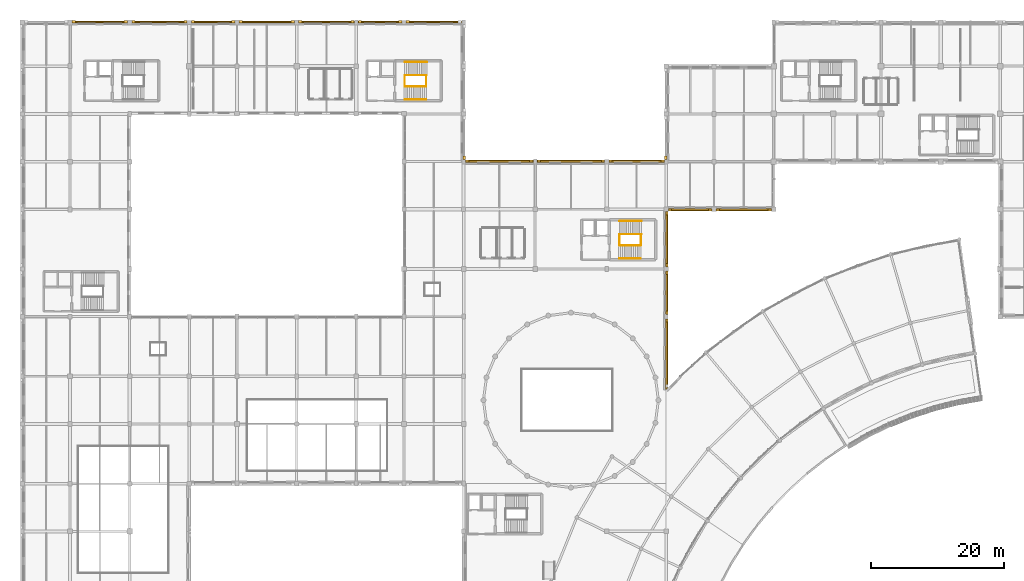
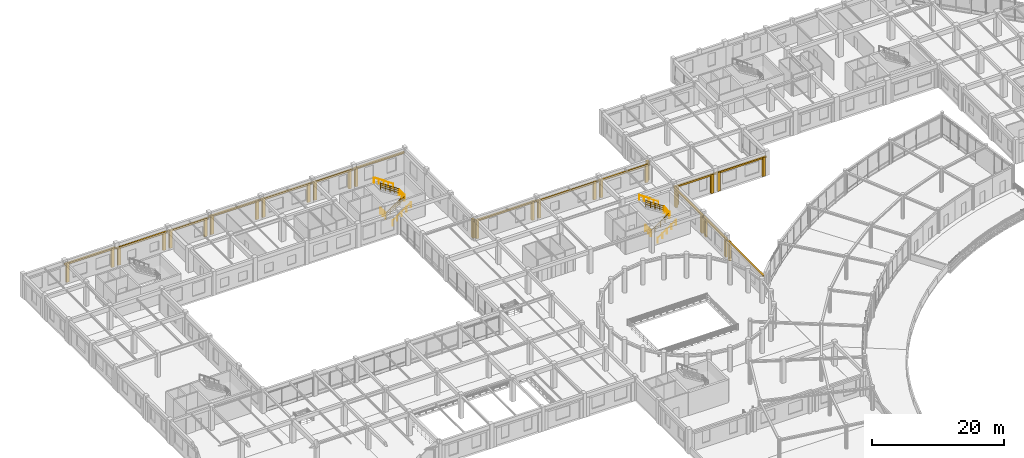
# One storey, part 57 of 62: 45 coverings, 12 railings.
"""IFC4 building model written with IfcOpenShell, lengths in metres."""

import ifcopenshell
import ifcopenshell.guid

model = None  # the IFC model being written
_history = None  # IfcOwnerHistory: only IFC2X3 demands one
_inside = {}  # id of a spatial element -> (the spatial element, [elements in it])
_under = {}  # id of a project, library or spatial element -> (it, [spatial elements below it])
_declared = {}  # id of a project -> (the project, [libraries it declares])
_typed = {}  # id of a type object -> (the type object, [elements of that type])
_made_of = {}  # id of a material, layer set ... -> (it, [elements and type objects made of it])


def new_model(schema):
    """Start an empty IFC model of exactly this schema.

    Asked for "IFC4X3", IfcOpenShell would pick the latest addendum, in which some entities
    have other attributes; the version numbers below select the first issue.
    IFC2X3 requires an IfcOwnerHistory on every rooted entity: one is made here for all.
    """
    global model, _history
    if schema == "IFC4X3":
        model = ifcopenshell.file(schema_version=(4, 3, 0, 0))
    else:
        model = ifcopenshell.file(schema=schema)
    _inside.clear()
    _under.clear()
    _declared.clear()
    _typed.clear()
    _made_of.clear()
    _history = None
    if model.schema == "IFC2X3":
        org = make("IfcOrganization", Name="unknown")
        user = make(
            "IfcPersonAndOrganization",
            ThePerson=make("IfcPerson", FamilyName="unknown"),
            TheOrganization=org,
        )
        app = make(
            "IfcApplication",
            ApplicationDeveloper=org,
            Version="unknown",
            ApplicationFullName="unknown",
            ApplicationIdentifier="unknown",
        )
        _history = make(
            "IfcOwnerHistory",
            OwningUser=user,
            OwningApplication=app,
            ChangeAction="ADDED",
            CreationDate=0,
        )
    return model


def make(cls, **values):
    """One entity of the class cls with the attributes given. An attribute that is None is left unset."""
    return model.create_entity(
        cls, **{name: value for name, value in values.items() if value is not None}
    )


def rooted(cls, **values):
    """An entity with a GlobalId (a new one), such as an element, a storey or a relation."""
    return make(cls, GlobalId=ifcopenshell.guid.new(), OwnerHistory=_history, **values)


def si_unit(unit_type, name, prefix=None):
    """IfcSIUnit, for example si_unit("LENGTHUNIT", "METRE", prefix="MILLI")."""
    return make("IfcSIUnit", UnitType=unit_type, Prefix=prefix, Name=name)


def assignment(units):
    """IfcUnitAssignment: the units of a project."""
    return None if units is None else make("IfcUnitAssignment", Units=units)


def point(xyz):
    """IfcCartesianPoint."""
    return None if xyz is None else make("IfcCartesianPoint", Coordinates=xyz)


def direction(xyz):
    """IfcDirection."""
    return None if xyz is None else make("IfcDirection", DirectionRatios=xyz)


def frame(location, z_axis=None, x_axis=None):
    """IfcAxis2Placement3D, a coordinate frame: its origin and axes. An axis left out is left unset."""
    return make(
        "IfcAxis2Placement3D",
        Location=point(location),
        Axis=direction(z_axis),
        RefDirection=direction(x_axis),
    )


def frame_2d(location, x_axis=None):
    """IfcAxis2Placement2D, a coordinate frame in the plane: its origin and x axis."""
    return make(
        "IfcAxis2Placement2D", Location=point(location), RefDirection=direction(x_axis)
    )


def origin():
    """The frame at (0, 0, 0) with its axes left unset."""
    return frame((0.0, 0.0, 0.0))


def origin_2d():
    """The frame at (0, 0) in the plane with its x axis left unset."""
    return frame_2d((0.0, 0.0))


def place(relative_to, where):
    """IfcLocalPlacement: puts the frame where relative to a parent placement (None: the world)."""
    return make(
        "IfcLocalPlacement", PlacementRelTo=relative_to, RelativePlacement=where
    )


def context(
    kind, dimensions, precision=None, world=None, true_north=None, identifier=None
):
    """IfcGeometricRepresentationContext, for example the 3D "Model" context."""
    return make(
        "IfcGeometricRepresentationContext",
        ContextIdentifier=identifier,
        ContextType=kind,
        CoordinateSpaceDimension=dimensions,
        Precision=precision,
        WorldCoordinateSystem=world,
        TrueNorth=true_north,
    )


def subcontext(parent, identifier, kind, view, scale=None):
    """IfcGeometricRepresentationSubContext, for example "Body" below "Model"."""
    return make(
        "IfcGeometricRepresentationSubContext",
        ContextIdentifier=identifier,
        ContextType=kind,
        ParentContext=parent,
        TargetScale=scale,
        TargetView=view,
    )


def project(units=None, contexts=None):
    """IfcProject with its units and contexts."""
    return rooted(
        "IfcProject",
        Name="project",
        RepresentationContexts=contexts,
        UnitsInContext=assignment(units),
    )


def spatial(cls, under=None, at=None, **own):
    """A site, building, storey or space (cls), placed at a placement, below another one or the project."""
    s = rooted(cls, ObjectPlacement=at, **own)
    if under is not None:
        _under.setdefault(under.id(), (under, []))[1].append(s)
    return s


def profile(cls, at=None, kind="AREA", **sizes):
    """A parametric profile (cls). Its sizes go by their IFC names, for example OverallWidth=200.0."""
    return make(cls, ProfileType=kind, Position=at, **sizes)


def rectangle(**sizes):
    """IfcRectangleProfileDef."""
    return profile("IfcRectangleProfileDef", **sizes)


def circle(**sizes):
    """IfcCircleProfileDef."""
    return profile("IfcCircleProfileDef", **sizes)


def extrude(swept, where, along, depth):
    """IfcExtrudedAreaSolid: the profile swept, set in the frame where, extruded along a direction by depth."""
    return make(
        "IfcExtrudedAreaSolid",
        SweptArea=swept,
        Position=where,
        ExtrudedDirection=direction(along),
        Depth=depth,
    )


def shape(context_of_items, identifier, shape_type, items):
    """IfcShapeRepresentation: the items that make up one representation, for example the "Body"."""
    return make(
        "IfcShapeRepresentation",
        ContextOfItems=context_of_items,
        RepresentationIdentifier=identifier,
        RepresentationType=shape_type,
        Items=items,
    )


def material(Name=None, Category=None):
    """IfcMaterial."""
    return make("IfcMaterial", Name=Name, Category=Category)


def layer(
    of_material, thickness, ventilated=None, Name=None, Category=None, Priority=None
):
    """IfcMaterialLayer: one layer of a wall or slab, of a material (None: an air gap)."""
    return make(
        "IfcMaterialLayer",
        Material=of_material,
        LayerThickness=thickness,
        IsVentilated=ventilated,
        Name=Name,
        Category=Category,
        Priority=Priority,
    )


def layer_set(layers, Name=None):
    """IfcMaterialLayerSet."""
    return make("IfcMaterialLayerSet", MaterialLayers=layers, LayerSetName=Name)


def made_of(thing, what):
    """Note that an element or type object is made of a material, layer set ...; save() writes the relation."""
    if what is not None:
        _made_of.setdefault(what.id(), (what, []))[1].append(thing)
    return thing


def type_object(cls, material=None, **own):
    """A type object (cls), such as IfcWallType, which elements share."""
    return made_of(rooted(cls, **own), material)


def element(
    cls,
    number,
    at=None,
    inside=None,
    cuts=None,
    type_object=None,
    material=None,
    context=None,
    identifier="Body",
    shape_type=None,
    held_by="IfcProductDefinitionShape",
    body=None,
    shapes=None,
    **own,
):
    """One element of the class cls, such as IfcWall. Its Tag is "e" and its number.

    at: its placement. inside: the storey or other place that contains it. cuts: it is an
    opening in that element (IfcRelVoidsElement). A single representation is given by context,
    identifier, shape_type and body (its items); several are given by shapes. held_by: the class
    of the entity that holds the representations. save() writes the other relations.
    """
    e = rooted(cls, Tag="e%d" % number, ObjectPlacement=at, **own)
    if body is not None:
        shapes = [shape(context, identifier, shape_type, body)]
    if shapes is not None:
        e.Representation = make(held_by, Representations=shapes)
    if inside is not None:
        _inside.setdefault(inside.id(), (inside, []))[1].append(e)
    if cuts is not None:
        rooted(
            "IfcRelVoidsElement", RelatingBuildingElement=cuts, RelatedOpeningElement=e
        )
    if type_object is not None:
        _typed.setdefault(type_object.id(), (type_object, []))[1].append(e)
    return made_of(e, material)


def aggregate(whole, parts):
    """IfcRelAggregates: a whole, such as a stair, and the parts it consists of."""
    return rooted("IfcRelAggregates", RelatingObject=whole, RelatedObjects=parts)


def save(model, path):
    """Write the relations noted so far, then the file.

    IfcRelAggregates (storeys below a building ...), IfcRelContainedInSpatialStructure (elements
    in a storey), IfcRelDefinesByType, IfcRelAssociatesMaterial and IfcRelDeclares: one each for
    every whole, place, type object, material and project.
    """
    for whole, parts in _under.values():
        aggregate(whole, parts)
    for where, things in _inside.values():
        rooted(
            "IfcRelContainedInSpatialStructure",
            RelatedElements=things,
            RelatingStructure=where,
        )
    for kind, things in _typed.values():
        rooted("IfcRelDefinesByType", RelatedObjects=things, RelatingType=kind)
    for what, things in _made_of.values():
        rooted("IfcRelAssociatesMaterial", RelatedObjects=things, RelatingMaterial=what)
    for by, libraries in _declared.values():
        rooted("IfcRelDeclares", RelatingContext=by, RelatedDefinitions=libraries)
    model.write(path)


model = new_model("IFC4")

# Units and contexts
model_context = context("Model", 3, precision=1e-05, world=origin(), true_north=direction((0.0, 1.0)))
body_context = subcontext(model_context, "Body", "Model", "MODEL_VIEW")
ifc_project = project(units=[si_unit("LENGTHUNIT", "METRE"), si_unit("AREAUNIT", "SQUARE_METRE"), si_unit("VOLUMEUNIT", "CUBIC_METRE"), si_unit("PLANEANGLEUNIT", "RADIAN"), si_unit("MASSUNIT", "GRAM", prefix="KILO")], contexts=[model_context])

# Site, building, storey
site_placement = place(None, origin())
site = spatial("IfcSite", under=ifc_project, at=site_placement, CompositionType="ELEMENT")
building_placement = place(site_placement, origin())
building = spatial("IfcBuilding", under=site, at=building_placement, Name="Clarverna Civic Hall", CompositionType="ELEMENT")
storey_placement = place(building_placement, frame((0.0, 0.0, 5.10009765625)))
storey = spatial("IfcBuildingStorey", under=building, at=storey_placement, Name="L01", CompositionType="ELEMENT", Elevation=5.10009765625)

# Coverings
ifc_material_1 = material(Name="Montjuic Buff Limestone Ashlar Cladding", Category="masonry")
ifc_layer = layer(ifc_material_1, 0.070068359375)
ifc_layer_set = layer_set([ifc_layer], Name="Montjuic Buff Limestone Ashlar Cladding")
covering_type = type_object("IfcCoveringType", Name="CV-CL2", PredefinedType="CLADDING", material=ifc_layer_set)
covering_1_placement = place(storey_placement, frame((7.260009765625, 116.080078125, 3.260009765625), z_axis=(0.0, 0.0, 1.0), x_axis=(1.0, 0.0, 0.0)))
element("IfcCovering", 1, at=covering_1_placement, inside=storey, type_object=covering_type, Name="CV-CL2-204", PredefinedType="CLADDING", context=body_context, shape_type="SweptSolid", body=[
    extrude(rectangle(XDim=8.8798828125, YDim=0.280029296875, at=frame_2d((4.43994140625, 0.0))), origin(), (0.0, 0.0, 1.0), 0.2998046875),
])
for number, where, z_axis, x_axis, name in (
    (2, (7.52001953125, 116.110107421875, 0.0), (0.0, 0.0, 1.0), (1.0, 0.0, 0.0), "CV-CL2-205"),
    (3, (15.3798828125, 116.110107421875, 0.0), (0.0, 0.0, 1.0), (1.0, 0.0, 0.0), "CV-CL2-206"),
):
    element("IfcCovering", number, at=place(storey_placement, frame(where, z_axis=z_axis, x_axis=x_axis)), inside=storey, type_object=covering_type, Name=name, PredefinedType="CLADDING", context=body_context, shape_type="SweptSolid", body=[
        extrude(rectangle(XDim=0.5, YDim=0.340087890625, at=frame_2d((0.25, 0.0))), origin(), (0.0, 0.0, 1.0), 3.539794921875),
    ])
covering_2_placement = place(storey_placement, frame((16.260009765625, 116.080078125, 3.039794921875), z_axis=(0.0, 0.0, 1.0), x_axis=(1.0, 0.0, 0.0)))
element("IfcCovering", 4, at=covering_2_placement, inside=storey, type_object=covering_type, Name="CV-CL2-207", PredefinedType="CLADDING", context=body_context, shape_type="SweptSolid", body=[
    extrude(rectangle(XDim=8.8798828125, YDim=0.280029296875, at=frame_2d((4.43994140625, 0.0))), origin(), (0.0, 0.0, 1.0), 0.300048828125),
])
for number, where, z_axis, x_axis, name in (
    (5, (16.52001953125, 116.110107421875, 0.0), (0.0, 0.0, 1.0), (1.0, 0.0, 0.0), "CV-CL2-208"),
    (6, (24.3798828125, 116.110107421875, 0.0), (0.0, 0.0, 1.0), (1.0, 0.0, 0.0), "CV-CL2-209"),
):
    element("IfcCovering", number, at=place(storey_placement, frame(where, z_axis=z_axis, x_axis=x_axis)), inside=storey, type_object=covering_type, Name=name, PredefinedType="CLADDING", context=body_context, shape_type="SweptSolid", body=[
        extrude(rectangle(XDim=0.5, YDim=0.340087890625, at=frame_2d((0.25, 0.0))), origin(), (0.0, 0.0, 1.0), 3.31982421875),
    ])
covering_3_placement = place(storey_placement, frame((25.260009765625, 116.080078125, 3.039794921875), z_axis=(0.0, 0.0, 1.0), x_axis=(1.0, 0.0, 0.0)))
element("IfcCovering", 7, at=covering_3_placement, inside=storey, type_object=covering_type, Name="CV-CL2-210", PredefinedType="CLADDING", context=body_context, shape_type="SweptSolid", body=[
    extrude(rectangle(XDim=7.080078125, YDim=0.280029296875, at=frame_2d((3.5400390625, 0.0))), origin(), (0.0, 0.0, 1.0), 0.300048828125),
])
for number, where, z_axis, x_axis, name in (
    (8, (25.52001953125, 116.110107421875, 0.0), (0.0, 0.0, 1.0), (1.0, 0.0, 0.0), "CV-CL2-211"),
    (9, (31.580078125, 116.110107421875, 0.0), (0.0, 0.0, 1.0), (1.0, 0.0, 0.0), "CV-CL2-212"),
):
    element("IfcCovering", number, at=place(storey_placement, frame(where, z_axis=z_axis, x_axis=x_axis)), inside=storey, type_object=covering_type, Name=name, PredefinedType="CLADDING", context=body_context, shape_type="SweptSolid", body=[
        extrude(rectangle(XDim=0.5, YDim=0.340087890625, at=frame_2d((0.25, 0.0))), origin(), (0.0, 0.0, 1.0), 3.31982421875),
    ])
covering_4_placement = place(storey_placement, frame((32.4599609375, 116.080078125, 3.219970703125), z_axis=(0.0, 0.0, 1.0), x_axis=(1.0, 0.0, 0.0)))
element("IfcCovering", 10, at=covering_4_placement, inside=storey, type_object=covering_type, Name="CV-CL2-213", PredefinedType="CLADDING", context=body_context, shape_type="SweptSolid", body=[
    extrude(rectangle(XDim=8.880126953125, YDim=0.280029296875, at=frame_2d((4.43994140625, 0.0))), origin(), (0.0, 0.0, 1.0), 0.300048828125),
])
for number, where, z_axis, x_axis, name in (
    (11, (32.719970703125, 116.110107421875, 0.0), (0.0, 0.0, 1.0), (1.0, 0.0, 0.0), "CV-CL2-214"),
    (12, (40.580078125, 116.110107421875, 0.0), (0.0, 0.0, 1.0), (1.0, 0.0, 0.0), "CV-CL2-215"),
):
    element("IfcCovering", number, at=place(storey_placement, frame(where, z_axis=z_axis, x_axis=x_axis)), inside=storey, type_object=covering_type, Name=name, PredefinedType="CLADDING", context=body_context, shape_type="SweptSolid", body=[
        extrude(rectangle(XDim=0.5, YDim=0.340087890625, at=frame_2d((0.25, 0.0))), origin(), (0.0, 0.0, 1.0), 3.5),
    ])
covering_5_placement = place(storey_placement, frame((41.4599609375, 116.080078125, 3.18994140625), z_axis=(0.0, 0.0, 1.0), x_axis=(1.0, 0.0, 0.0)))
element("IfcCovering", 13, at=covering_5_placement, inside=storey, type_object=covering_type, Name="CV-CL2-216", PredefinedType="CLADDING", context=body_context, shape_type="SweptSolid", body=[
    extrude(rectangle(XDim=8.880126953125, YDim=0.280029296875, at=frame_2d((4.43994140625, 0.0))), origin(), (0.0, 0.0, 1.0), 0.300048828125),
])
for number, where, z_axis, x_axis, name in (
    (14, (41.719970703125, 116.110107421875, 0.0), (0.0, 0.0, 1.0), (1.0, 0.0, 0.0), "CV-CL2-217"),
    (15, (49.580078125, 116.110107421875, 0.0), (0.0, 0.0, 1.0), (1.0, 0.0, 0.0), "CV-CL2-218"),
):
    element("IfcCovering", number, at=place(storey_placement, frame(where, z_axis=z_axis, x_axis=x_axis)), inside=storey, type_object=covering_type, Name=name, PredefinedType="CLADDING", context=body_context, shape_type="SweptSolid", body=[
        extrude(rectangle(XDim=0.5, YDim=0.340087890625, at=frame_2d((0.25, 0.0))), origin(), (0.0, 0.0, 1.0), 3.469970703125),
    ])
covering_6_placement = place(storey_placement, frame((50.4599609375, 116.080078125, 3.18994140625), z_axis=(0.0, 0.0, 1.0), x_axis=(1.0, 0.0, 0.0)))
element("IfcCovering", 16, at=covering_6_placement, inside=storey, type_object=covering_type, Name="CV-CL2-219", PredefinedType="CLADDING", context=body_context, shape_type="SweptSolid", body=[
    extrude(rectangle(XDim=7.080078125, YDim=0.280029296875, at=frame_2d((3.5400390625, 0.0))), origin(), (0.0, 0.0, 1.0), 0.300048828125),
])
for number, where, z_axis, x_axis, name in (
    (17, (50.719970703125, 116.110107421875, 0.0), (0.0, 0.0, 1.0), (1.0, 0.0, 0.0), "CV-CL2-220"),
    (18, (56.780029296875, 116.110107421875, 0.0), (0.0, 0.0, 1.0), (1.0, 0.0, 0.0), "CV-CL2-221"),
):
    element("IfcCovering", number, at=place(storey_placement, frame(where, z_axis=z_axis, x_axis=x_axis)), inside=storey, type_object=covering_type, Name=name, PredefinedType="CLADDING", context=body_context, shape_type="SweptSolid", body=[
        extrude(rectangle(XDim=0.5, YDim=0.340087890625, at=frame_2d((0.25, 0.0))), origin(), (0.0, 0.0, 1.0), 3.469970703125),
    ])
covering_7_placement = place(storey_placement, frame((57.659912109375, 116.080078125, 3.219970703125), z_axis=(0.0, 0.0, 1.0), x_axis=(1.0, 0.0, 0.0)))
element("IfcCovering", 19, at=covering_7_placement, inside=storey, type_object=covering_type, Name="CV-CL2-222", PredefinedType="CLADDING", context=body_context, shape_type="SweptSolid", body=[
    extrude(rectangle(XDim=8.85498046875, YDim=0.280029296875, at=frame_2d((4.427490234375, 0.0))), origin(), (0.0, 0.0, 1.0), 0.300048828125),
])
covering_8_placement = place(storey_placement, frame((57.919921875, 116.110107421875, 0.0), z_axis=(0.0, 0.0, 1.0), x_axis=(1.0, 0.0, 0.0)))
element("IfcCovering", 20, at=covering_8_placement, inside=storey, type_object=covering_type, Name="CV-CL2-223", PredefinedType="CLADDING", context=body_context, shape_type="SweptSolid", body=[
    extrude(rectangle(XDim=0.5, YDim=0.340087890625, at=frame_2d((0.25, 0.0))), origin(), (0.0, 0.0, 1.0), 3.5),
])
covering_9_placement = place(storey_placement, frame((66.68505859375, 95.820068359375, 0.0), z_axis=(0.0, 0.0, 1.0), x_axis=(0.0, -1.0, 0.0)))
element("IfcCovering", 21, at=covering_9_placement, inside=storey, type_object=covering_type, Name="CV-CL2-233", PredefinedType="CLADDING", context=body_context, shape_type="SweptSolid", body=[
    extrude(rectangle(XDim=0.5, YDim=0.340087890625, at=frame_2d((0.25, 0.0))), origin(), (0.0, 0.0, 1.0), 3.4599609375),
])
covering_10_placement = place(storey_placement, frame((66.635009765625, 95.080078125, 3.179931640625), z_axis=(0.0, 0.0, 1.0), x_axis=(1.0, 0.0, 0.0)))
element("IfcCovering", 22, at=covering_10_placement, inside=storey, type_object=covering_type, Name="CV-CL2-234", PredefinedType="CLADDING", context=body_context, shape_type="SweptSolid", body=[
    extrude(rectangle(XDim=10.705078125, YDim=0.280029296875, at=frame_2d((5.3525390625, 0.0))), origin(), (0.0, 0.0, 1.0), 0.300048828125),
])
for number, where, z_axis, x_axis, name in (
    (23, (66.89501953125, 95.110107421875, 0.0), (0.0, 0.0, 1.0), (1.0, 0.0, 0.0), "CV-CL2-235"),
    (24, (76.580078125, 95.110107421875, 0.0), (0.0, 0.0, 1.0), (1.0, 0.0, 0.0), "CV-CL2-236"),
):
    element("IfcCovering", number, at=place(storey_placement, frame(where, z_axis=z_axis, x_axis=x_axis)), inside=storey, type_object=covering_type, Name=name, PredefinedType="CLADDING", context=body_context, shape_type="SweptSolid", body=[
        extrude(rectangle(XDim=0.5, YDim=0.340087890625, at=frame_2d((0.25, 0.0))), origin(), (0.0, 0.0, 1.0), 3.4599609375),
    ])
covering_11_placement = place(storey_placement, frame((77.4599609375, 95.080078125, 3.0498046875), z_axis=(0.0, 0.0, 1.0), x_axis=(1.0, 0.0, 0.0)))
element("IfcCovering", 25, at=covering_11_placement, inside=storey, type_object=covering_type, Name="CV-CL2-237", PredefinedType="CLADDING", context=body_context, shape_type="SweptSolid", body=[
    extrude(rectangle(XDim=10.679931640625, YDim=0.280029296875, at=frame_2d((5.33984375, 0.0))), origin(), (0.0, 0.0, 1.0), 0.300048828125),
])
for number, where, z_axis, x_axis, name in (
    (26, (77.719970703125, 95.110107421875, 0.0), (0.0, 0.0, 1.0), (1.0, 0.0, 0.0), "CV-CL2-238"),
    (27, (87.3798828125, 95.110107421875, 0.0), (0.0, 0.0, 1.0), (1.0, 0.0, 0.0), "CV-CL2-239"),
):
    element("IfcCovering", number, at=place(storey_placement, frame(where, z_axis=z_axis, x_axis=x_axis)), inside=storey, type_object=covering_type, Name=name, PredefinedType="CLADDING", context=body_context, shape_type="SweptSolid", body=[
        extrude(rectangle(XDim=0.5, YDim=0.340087890625, at=frame_2d((0.25, 0.0))), origin(), (0.0, 0.0, 1.0), 3.329833984375),
    ])
covering_12_placement = place(storey_placement, frame((88.260009765625, 95.080078125, 3.0498046875), z_axis=(0.0, 0.0, 1.0), x_axis=(1.0, 0.0, 0.0)))
element("IfcCovering", 28, at=covering_12_placement, inside=storey, type_object=covering_type, Name="CV-CL2-240", PredefinedType="CLADDING", context=body_context, shape_type="SweptSolid", body=[
    extrude(rectangle(XDim=8.905029296875, YDim=0.280029296875, at=frame_2d((4.45263671875, 0.0))), origin(), (0.0, 0.0, 1.0), 0.300048828125),
])
for number, where, z_axis, x_axis, name in (
    (29, (88.52001953125, 95.110107421875, 0.0), (0.0, 0.0, 1.0), (1.0, 0.0, 0.0), "CV-CL2-241"),
    (30, (96.405029296875, 95.110107421875, 0.0), (0.0, 0.0, 1.0), (1.0, 0.0, 0.0), "CV-CL2-242"),
):
    element("IfcCovering", number, at=place(storey_placement, frame(where, z_axis=z_axis, x_axis=x_axis)), inside=storey, type_object=covering_type, Name=name, PredefinedType="CLADDING", context=body_context, shape_type="SweptSolid", body=[
        extrude(rectangle(XDim=0.5, YDim=0.340087890625, at=frame_2d((0.25, 0.0))), origin(), (0.0, 0.0, 1.0), 3.329833984375),
    ])
covering_13_placement = place(storey_placement, frame((97.114990234375, 95.320068359375, 0.0), z_axis=(0.0, 0.0, 1.0), x_axis=(0.0, 1.0, 0.0)))
element("IfcCovering", 31, at=covering_13_placement, inside=storey, type_object=covering_type, Name="CV-CL2-244", PredefinedType="CLADDING", context=body_context, shape_type="SweptSolid", body=[
    extrude(rectangle(XDim=0.5, YDim=0.340087890625, at=frame_2d((0.25, 0.0))), origin(), (0.0, 0.0, 1.0), 3.5),
])
covering_14_placement = place(storey_placement, frame((113.340087890625, 87.719970703125, 3.219970703125), z_axis=(0.0, 0.0, 1.0), x_axis=(-1.0, 0.0, 0.0)))
element("IfcCovering", 32, at=covering_14_placement, inside=storey, type_object=covering_type, Name="CV-CL2-300", PredefinedType="CLADDING", context=body_context, shape_type="SweptSolid", body=[
    extrude(rectangle(XDim=8.880126953125, YDim=0.280029296875, at=frame_2d((4.43994140625, 0.0))), origin(), (0.0, 0.0, 1.0), 0.300048828125),
])
for number, where, z_axis, x_axis, name in (
    (33, (113.080078125, 87.68994140625, 0.0), (0.0, 0.0, 1.0), (-1.0, 0.0, 0.0), "CV-CL2-301"),
    (34, (105.219970703125, 87.68994140625, 0.0), (0.0, 0.0, 1.0), (-1.0, 0.0, 0.0), "CV-CL2-302"),
):
    element("IfcCovering", number, at=place(storey_placement, frame(where, z_axis=z_axis, x_axis=x_axis)), inside=storey, type_object=covering_type, Name=name, PredefinedType="CLADDING", context=body_context, shape_type="SweptSolid", body=[
        extrude(rectangle(XDim=0.5, YDim=0.340087890625, at=frame_2d((0.25, 0.0))), origin(), (0.0, 0.0, 1.0), 3.5),
    ])
covering_15_placement = place(storey_placement, frame((104.340087890625, 87.719970703125, 3.219970703125), z_axis=(0.0, 0.0, 1.0), x_axis=(-1.0, 0.0, 0.0)))
element("IfcCovering", 35, at=covering_15_placement, inside=storey, type_object=covering_type, Name="CV-CL2-303", PredefinedType="CLADDING", context=body_context, shape_type="SweptSolid", body=[
    extrude(rectangle(XDim=7.10498046875, YDim=0.280029296875, at=frame_2d((3.552490234375, 0.0))), origin(), (0.0, 0.0, 1.0), 0.300048828125),
])
for number, where, z_axis, x_axis, name in (
    (36, (104.080078125, 87.68994140625, 0.0), (0.0, 0.0, 1.0), (-1.0, 0.0, 0.0), "CV-CL2-304"),
    (37, (97.9951171875, 87.68994140625, 0.0), (0.0, 0.0, 1.0), (-1.0, 0.0, 0.0), "CV-CL2-305"),
):
    element("IfcCovering", number, at=place(storey_placement, frame(where, z_axis=z_axis, x_axis=x_axis)), inside=storey, type_object=covering_type, Name=name, PredefinedType="CLADDING", context=body_context, shape_type="SweptSolid", body=[
        extrude(rectangle(XDim=0.5, YDim=0.340087890625, at=frame_2d((0.25, 0.0))), origin(), (0.0, 0.0, 1.0), 3.5),
    ])
covering_16_placement = place(storey_placement, frame((97.2548828125, 87.739990234375, 3.179931640625), z_axis=(0.0, 0.0, 1.0), x_axis=(0.0, -1.0, 0.0)))
element("IfcCovering", 38, at=covering_16_placement, inside=storey, type_object=covering_type, Name="CV-CL2-306", PredefinedType="CLADDING", context=body_context, shape_type="SweptSolid", body=[
    extrude(rectangle(XDim=8.8798828125, YDim=0.280029296875, at=frame_2d((4.43994140625, 0.0))), origin(), (0.0, 0.0, 1.0), 0.300048828125),
])
for number, where, z_axis, x_axis, name in (
    (39, (97.284912109375, 87.47998046875, 0.0), (0.0, 0.0, 1.0), (0.0, -1.0, 0.0), "CV-CL2-307"),
    (40, (97.284912109375, 79.6201171875, 0.0), (0.0, 0.0, 1.0), (0.0, -1.0, 0.0), "CV-CL2-308"),
):
    element("IfcCovering", number, at=place(storey_placement, frame(where, z_axis=z_axis, x_axis=x_axis)), inside=storey, type_object=covering_type, Name=name, PredefinedType="CLADDING", context=body_context, shape_type="SweptSolid", body=[
        extrude(rectangle(XDim=0.5, YDim=0.340087890625, at=frame_2d((0.25, 0.0))), origin(), (0.0, 0.0, 1.0), 3.4599609375),
    ])
covering_17_placement = place(storey_placement, frame((97.2548828125, 78.739990234375, 3.179931640625), z_axis=(0.0, 0.0, 1.0), x_axis=(0.0, -1.0, 0.0)))
element("IfcCovering", 41, at=covering_17_placement, inside=storey, type_object=covering_type, Name="CV-CL2-309", PredefinedType="CLADDING", context=body_context, shape_type="SweptSolid", body=[
    extrude(rectangle(XDim=7.080078125, YDim=0.280029296875, at=frame_2d((3.5400390625, 0.0))), origin(), (0.0, 0.0, 1.0), 0.300048828125),
])
for number, where, z_axis, x_axis, name in (
    (42, (97.284912109375, 78.47998046875, 0.0), (0.0, 0.0, 1.0), (0.0, -1.0, 0.0), "CV-CL2-310"),
    (43, (97.284912109375, 72.419921875, 0.0), (0.0, 0.0, 1.0), (0.0, -1.0, 0.0), "CV-CL2-311"),
):
    element("IfcCovering", number, at=place(storey_placement, frame(where, z_axis=z_axis, x_axis=x_axis)), inside=storey, type_object=covering_type, Name=name, PredefinedType="CLADDING", context=body_context, shape_type="SweptSolid", body=[
        extrude(rectangle(XDim=0.5, YDim=0.340087890625, at=frame_2d((0.25, 0.0))), origin(), (0.0, 0.0, 1.0), 3.4599609375),
    ])
covering_18_placement = place(storey_placement, frame((97.2548828125, 71.5400390625, 3.179931640625), z_axis=(0.0, 0.0, 1.0), x_axis=(0.0, -1.0, 0.0)))
element("IfcCovering", 44, at=covering_18_placement, inside=storey, type_object=covering_type, Name="CV-CL2-312", PredefinedType="CLADDING", context=body_context, shape_type="SweptSolid", body=[
    extrude(rectangle(XDim=10.913330078125, YDim=0.280029296875, at=frame_2d((5.45654296875, 0.0))), origin(), (0.0, 0.0, 1.0), 0.300048828125),
])
covering_19_placement = place(storey_placement, frame((97.284912109375, 71.280029296875, 0.0), z_axis=(0.0, 0.0, 1.0), x_axis=(0.0, -1.0, 0.0)))
element("IfcCovering", 45, at=covering_19_placement, inside=storey, type_object=covering_type, Name="CV-CL2-313", PredefinedType="CLADDING", context=body_context, shape_type="SweptSolid", body=[
    extrude(rectangle(XDim=0.5, YDim=0.340087890625, at=frame_2d((0.25, 0.0))), origin(), (0.0, 0.0, 1.0), 3.4599609375),
])

# Railings
ifc_material_2 = material(Name="Anodised Bronze Architectural Balustrade")
railing_type_1 = type_object("IfcRailingType", Name="GR-02", PredefinedType="BALUSTRADE", material=ifc_material_2)
railing_1_placement = place(storey_placement, frame((90.14990234375, 82.360107421875, 0.0)))
element("IfcRailing", 46, at=railing_1_placement, inside=storey, type_object=railing_type_1, Name="GR-02-075", PredefinedType="BALUSTRADE", context=body_context, shape_type="SweptSolid", body=[
    extrude(circle(Radius=0.02392578125, at=origin_2d()), frame((0.0, 0.0, 1.09619140625), z_axis=(0.818457937252, 0.0, 0.574566449551), x_axis=(0.0, 1.0, 0.0)), (0.0, 0.0, 1.0), 3.916015625),
    extrude(circle(Radius=0.011962890625, at=origin_2d()), frame((0.0, 0.0, 0.39208984375), z_axis=(0.818457937252, 0.0, 0.574566449551), x_axis=(0.0, 1.0, 0.0)), (0.0, 0.0, 1.0), 3.916015625),
    extrude(circle(Radius=0.011962890625, at=origin_2d()), frame((0.0, 0.0, 0.76171875), z_axis=(0.818457937252, 0.0, 0.574566449551), x_axis=(0.0, 1.0, 0.0)), (0.0, 0.0, 1.0), 3.916015625),
    extrude(circle(Radius=0.02099609375, at=origin_2d()), origin(), (0.0, 0.0, 1.0), 1.072021484375),
    extrude(circle(Radius=0.02099609375, at=origin_2d()), frame((0.80126953125, 0.0, 0.5625)), (0.0, 0.0, 1.0), 1.072021484375),
    extrude(circle(Radius=0.02099609375, at=origin_2d()), frame((1.6025390625, 0.0, 1.125)), (0.0, 0.0, 1.0), 1.072021484375),
    extrude(circle(Radius=0.02099609375, at=origin_2d()), frame((2.40380859375, 0.0, 1.6875)), (0.0, 0.0, 1.0), 1.072021484375),
    extrude(circle(Radius=0.02099609375, at=origin_2d()), frame((3.205078125, 0.0, 2.25)), (0.0, 0.0, 1.0), 1.072021484375),
])
railing_2_placement = place(storey_placement, frame((93.35498046875, 82.360107421875, 2.25)))
element("IfcRailing", 47, at=railing_2_placement, inside=storey, type_object=railing_type_1, Name="GR-02-076", PredefinedType="BALUSTRADE", context=body_context, shape_type="SweptSolid", body=[
    extrude(circle(Radius=0.02392578125, at=origin_2d()), frame((0.0, 0.0, 1.09619140625), z_axis=(0.0, 1.0, 0.0), x_axis=(-1.0, 0.0, 0.0)), (0.0, 0.0, 1.0), 1.679931640625),
    extrude(circle(Radius=0.011962890625, at=origin_2d()), frame((0.0, 0.0, 0.39208984375), z_axis=(0.0, 1.0, 0.0), x_axis=(-1.0, 0.0, 0.0)), (0.0, 0.0, 1.0), 1.679931640625),
    extrude(circle(Radius=0.011962890625, at=origin_2d()), frame((0.0, 0.0, 0.76171875), z_axis=(0.0, 1.0, 0.0), x_axis=(-1.0, 0.0, 0.0)), (0.0, 0.0, 1.0), 1.679931640625),
    extrude(circle(Radius=0.02099609375, at=origin_2d()), origin(), (0.0, 0.0, 1.0), 1.072021484375),
    extrude(circle(Radius=0.02099609375, at=origin_2d()), frame((0.0, 0.83984375, 0.0)), (0.0, 0.0, 1.0), 1.072021484375),
    extrude(circle(Radius=0.02099609375, at=origin_2d()), frame((0.0, 1.679931640625, 0.0)), (0.0, 0.0, 1.0), 1.072021484375),
])
railing_3_placement = place(storey_placement, frame((93.445068359375, 84.0400390625, 2.25)))
element("IfcRailing", 48, at=railing_3_placement, inside=storey, type_object=railing_type_1, Name="GR-02-077", PredefinedType="BALUSTRADE", context=body_context, shape_type="SweptSolid", body=[
    extrude(circle(Radius=0.02392578125, at=origin_2d()), frame((0.0, 0.0, 1.09619140625), z_axis=(-0.825842681189, 0.0, 0.563900581598), x_axis=(0.0, -1.0, 0.0)), (0.0, 0.0, 1.0), 3.989990234375),
    extrude(circle(Radius=0.011962890625, at=origin_2d()), frame((0.0, 0.0, 0.39208984375), z_axis=(-0.825842681189, 0.0, 0.563900581598), x_axis=(0.0, -1.0, 0.0)), (0.0, 0.0, 1.0), 3.989990234375),
    extrude(circle(Radius=0.011962890625, at=origin_2d()), frame((0.0, 0.0, 0.76171875), z_axis=(-0.825842681189, 0.0, 0.563900581598), x_axis=(0.0, -1.0, 0.0)), (0.0, 0.0, 1.0), 3.989990234375),
    extrude(circle(Radius=0.02099609375, at=origin_2d()), origin(), (0.0, 0.0, 1.0), 1.072021484375),
    extrude(circle(Radius=0.02099609375, at=origin_2d()), frame((-0.82373046875, 0.0, 0.5625)), (0.0, 0.0, 1.0), 1.072021484375),
    extrude(circle(Radius=0.02099609375, at=origin_2d()), frame((-1.6474609375, 0.0, 1.125)), (0.0, 0.0, 1.0), 1.072021484375),
    extrude(circle(Radius=0.02099609375, at=origin_2d()), frame((-2.471435546875, 0.0, 1.6875)), (0.0, 0.0, 1.0), 1.072021484375),
    extrude(circle(Radius=0.02099609375, at=origin_2d()), frame((-3.295166015625, 0.0, 2.25)), (0.0, 0.0, 1.0), 1.072021484375),
])
railing_4_placement = place(storey_placement, frame((90.110107421875, 82.39990234375, 0.0)))
element("IfcRailing", 49, at=railing_4_placement, inside=storey, type_object=railing_type_1, Name="GR-02-078", PredefinedType="BALUSTRADE", context=body_context, shape_type="SweptSolid", body=[
    extrude(circle(Radius=0.02392578125, at=origin_2d()), frame((0.0, 0.0, 1.09619140625), z_axis=(0.0, 1.0, 0.0), x_axis=(-1.0, 0.0, 0.0)), (0.0, 0.0, 1.0), 1.60009765625),
    extrude(circle(Radius=0.011962890625, at=origin_2d()), frame((0.0, 0.0, 0.39208984375), z_axis=(0.0, 1.0, 0.0), x_axis=(-1.0, 0.0, 0.0)), (0.0, 0.0, 1.0), 1.60009765625),
    extrude(circle(Radius=0.011962890625, at=origin_2d()), frame((0.0, 0.0, 0.76171875), z_axis=(0.0, 1.0, 0.0), x_axis=(-1.0, 0.0, 0.0)), (0.0, 0.0, 1.0), 1.60009765625),
    extrude(circle(Radius=0.02099609375, at=origin_2d()), origin(), (0.0, 0.0, 1.0), 1.072021484375),
    extrude(circle(Radius=0.02099609375, at=origin_2d()), frame((0.0, 0.800048828125, 0.0)), (0.0, 0.0, 1.0), 1.072021484375),
    extrude(circle(Radius=0.02099609375, at=origin_2d()), frame((0.0, 1.60009765625, 0.0)), (0.0, 0.0, 1.0), 1.072021484375),
])
railing_5_placement = place(storey_placement, frame((57.75, 106.360107421875, 0.0)))
element("IfcRailing", 50, at=railing_5_placement, inside=storey, type_object=railing_type_1, Name="GR-02-183", PredefinedType="BALUSTRADE", context=body_context, shape_type="SweptSolid", body=[
    extrude(circle(Radius=0.02392578125, at=origin_2d()), frame((0.0, 0.0, 1.09619140625), z_axis=(0.818457937252, 0.0, 0.574566449551), x_axis=(0.0, 1.0, 0.0)), (0.0, 0.0, 1.0), 3.916015625),
    extrude(circle(Radius=0.011962890625, at=origin_2d()), frame((0.0, 0.0, 0.39208984375), z_axis=(0.818457937252, 0.0, 0.574566449551), x_axis=(0.0, 1.0, 0.0)), (0.0, 0.0, 1.0), 3.916015625),
    extrude(circle(Radius=0.011962890625, at=origin_2d()), frame((0.0, 0.0, 0.76171875), z_axis=(0.818457937252, 0.0, 0.574566449551), x_axis=(0.0, 1.0, 0.0)), (0.0, 0.0, 1.0), 3.916015625),
    extrude(circle(Radius=0.02099609375, at=origin_2d()), origin(), (0.0, 0.0, 1.0), 1.072021484375),
    extrude(circle(Radius=0.02099609375, at=origin_2d()), frame((0.80126953125, 0.0, 0.5625)), (0.0, 0.0, 1.0), 1.072021484375),
    extrude(circle(Radius=0.02099609375, at=origin_2d()), frame((1.6025390625, 0.0, 1.125)), (0.0, 0.0, 1.0), 1.072021484375),
    extrude(circle(Radius=0.02099609375, at=origin_2d()), frame((2.40380859375, 0.0, 1.6875)), (0.0, 0.0, 1.0), 1.072021484375),
    extrude(circle(Radius=0.02099609375, at=origin_2d()), frame((3.205078125, 0.0, 2.25)), (0.0, 0.0, 1.0), 1.072021484375),
])
railing_6_placement = place(storey_placement, frame((60.955078125, 106.360107421875, 2.25)))
element("IfcRailing", 51, at=railing_6_placement, inside=storey, type_object=railing_type_1, Name="GR-02-184", PredefinedType="BALUSTRADE", context=body_context, shape_type="SweptSolid", body=[
    extrude(circle(Radius=0.02392578125, at=origin_2d()), frame((0.0, 0.0, 1.09619140625), z_axis=(0.0, 1.0, 0.0), x_axis=(-1.0, 0.0, 0.0)), (0.0, 0.0, 1.0), 1.679931640625),
    extrude(circle(Radius=0.011962890625, at=origin_2d()), frame((0.0, 0.0, 0.39208984375), z_axis=(0.0, 1.0, 0.0), x_axis=(-1.0, 0.0, 0.0)), (0.0, 0.0, 1.0), 1.679931640625),
    extrude(circle(Radius=0.011962890625, at=origin_2d()), frame((0.0, 0.0, 0.76171875), z_axis=(0.0, 1.0, 0.0), x_axis=(-1.0, 0.0, 0.0)), (0.0, 0.0, 1.0), 1.679931640625),
    extrude(circle(Radius=0.02099609375, at=origin_2d()), origin(), (0.0, 0.0, 1.0), 1.072021484375),
    extrude(circle(Radius=0.02099609375, at=origin_2d()), frame((0.0, 0.83984375, 0.0)), (0.0, 0.0, 1.0), 1.072021484375),
    extrude(circle(Radius=0.02099609375, at=origin_2d()), frame((0.0, 1.679931640625, 0.0)), (0.0, 0.0, 1.0), 1.072021484375),
])
railing_7_placement = place(storey_placement, frame((61.044921875, 108.0400390625, 2.25)))
element("IfcRailing", 52, at=railing_7_placement, inside=storey, type_object=railing_type_1, Name="GR-02-185", PredefinedType="BALUSTRADE", context=body_context, shape_type="SweptSolid", body=[
    extrude(circle(Radius=0.02392578125, at=origin_2d()), frame((0.0, 0.0, 1.09619140625), z_axis=(-0.825823223194, 0.0, 0.563929077131), x_axis=(0.0, -1.0, 0.0)), (0.0, 0.0, 1.0), 3.98974609375),
    extrude(circle(Radius=0.011962890625, at=origin_2d()), frame((0.0, 0.0, 0.39208984375), z_axis=(-0.825823223194, 0.0, 0.563929077131), x_axis=(0.0, -1.0, 0.0)), (0.0, 0.0, 1.0), 3.98974609375),
    extrude(circle(Radius=0.011962890625, at=origin_2d()), frame((0.0, 0.0, 0.76171875), z_axis=(-0.825823223194, 0.0, 0.563929077131), x_axis=(0.0, -1.0, 0.0)), (0.0, 0.0, 1.0), 3.98974609375),
    extrude(circle(Radius=0.02099609375, at=origin_2d()), origin(), (0.0, 0.0, 1.0), 1.072021484375),
    extrude(circle(Radius=0.02099609375, at=origin_2d()), frame((-0.82373046875, 0.0, 0.5625)), (0.0, 0.0, 1.0), 1.072021484375),
    extrude(circle(Radius=0.02099609375, at=origin_2d()), frame((-1.6474609375, 0.0, 1.125)), (0.0, 0.0, 1.0), 1.072021484375),
    extrude(circle(Radius=0.02099609375, at=origin_2d()), frame((-2.47119140625, 0.0, 1.6875)), (0.0, 0.0, 1.0), 1.072021484375),
    extrude(circle(Radius=0.02099609375, at=origin_2d()), frame((-3.294921875, 0.0, 2.25)), (0.0, 0.0, 1.0), 1.072021484375),
])
railing_8_placement = place(storey_placement, frame((57.7099609375, 106.39990234375, 0.0)))
element("IfcRailing", 53, at=railing_8_placement, inside=storey, type_object=railing_type_1, Name="GR-02-186", PredefinedType="BALUSTRADE", context=body_context, shape_type="SweptSolid", body=[
    extrude(circle(Radius=0.02392578125, at=origin_2d()), frame((0.0, 0.0, 1.09619140625), z_axis=(0.0, 1.0, 0.0), x_axis=(-1.0, 0.0, 0.0)), (0.0, 0.0, 1.0), 1.60009765625),
    extrude(circle(Radius=0.011962890625, at=origin_2d()), frame((0.0, 0.0, 0.39208984375), z_axis=(0.0, 1.0, 0.0), x_axis=(-1.0, 0.0, 0.0)), (0.0, 0.0, 1.0), 1.60009765625),
    extrude(circle(Radius=0.011962890625, at=origin_2d()), frame((0.0, 0.0, 0.76171875), z_axis=(0.0, 1.0, 0.0), x_axis=(-1.0, 0.0, 0.0)), (0.0, 0.0, 1.0), 1.60009765625),
    extrude(circle(Radius=0.02099609375, at=origin_2d()), origin(), (0.0, 0.0, 1.0), 1.072021484375),
    extrude(circle(Radius=0.02099609375, at=origin_2d()), frame((0.0, 0.800048828125, 0.0)), (0.0, 0.0, 1.0), 1.072021484375),
    extrude(circle(Radius=0.02099609375, at=origin_2d()), frame((0.0, 1.60009765625, 0.0)), (0.0, 0.0, 1.0), 1.072021484375),
])
ifc_material_3 = material(Name="Anodised Bronze Continuous Handrail")
railing_type_2 = type_object("IfcRailingType", Name="HR-01", PredefinedType="HANDRAIL", material=ifc_material_3)
railing_9_placement = place(storey_placement, frame((90.14990234375, 80.3798828125, 0.0)))
element("IfcRailing", 54, at=railing_9_placement, inside=storey, type_object=railing_type_2, Name="HR-01-037", PredefinedType="HANDRAIL", context=body_context, shape_type="SweptSolid", body=[
    extrude(circle(Radius=0.02392578125, at=origin_2d()), frame((0.0, 0.0, 0.89599609375), z_axis=(0.817196578909, 0.0, 0.576359047312), x_axis=(0.0, 1.0, 0.0)), (0.0, 0.0, 1.0), 3.90380859375),
    extrude(circle(Radius=0.02099609375, at=origin_2d()), origin(), (0.0, 0.0, 1.0), 0.871826171875),
    extrude(circle(Radius=0.02099609375, at=origin_2d()), frame((0.797607421875, 0.0, 0.5625)), (0.0, 0.0, 1.0), 0.871826171875),
    extrude(circle(Radius=0.02099609375, at=origin_2d()), frame((1.59521484375, 0.0, 1.125)), (0.0, 0.0, 1.0), 0.871826171875),
    extrude(circle(Radius=0.02099609375, at=origin_2d()), frame((2.392578125, 0.0, 1.6875)), (0.0, 0.0, 1.0), 0.871826171875),
    extrude(circle(Radius=0.02099609375, at=origin_2d()), frame((3.190185546875, 0.0, 2.25)), (0.0, 0.0, 1.0), 0.871826171875),
])
railing_10_placement = place(storey_placement, frame((93.4599609375, 86.02001953125, 2.25)))
element("IfcRailing", 55, at=railing_10_placement, inside=storey, type_object=railing_type_2, Name="HR-01-038", PredefinedType="HANDRAIL", context=body_context, shape_type="SweptSolid", body=[
    extrude(circle(Radius=0.02392578125, at=origin_2d()), frame((0.0, 0.0, 0.89599609375), z_axis=(-0.82702406128, 0.0, 0.562166525207), x_axis=(0.0, -1.0, 0.0)), (0.0, 0.0, 1.0), 4.00244140625),
    extrude(circle(Radius=0.02099609375, at=origin_2d()), origin(), (0.0, 0.0, 1.0), 0.871826171875),
    extrude(circle(Radius=0.02099609375, at=origin_2d()), frame((-0.82763671875, 0.0, 0.5625)), (0.0, 0.0, 1.0), 0.871826171875),
    extrude(circle(Radius=0.02099609375, at=origin_2d()), frame((-1.655029296875, 0.0, 1.125)), (0.0, 0.0, 1.0), 0.871826171875),
    extrude(circle(Radius=0.02099609375, at=origin_2d()), frame((-2.482421875, 0.0, 1.6875)), (0.0, 0.0, 1.0), 0.871826171875),
    extrude(circle(Radius=0.02099609375, at=origin_2d()), frame((-3.31005859375, 0.0, 2.25)), (0.0, 0.0, 1.0), 0.871826171875),
])
railing_11_placement = place(storey_placement, frame((57.75, 104.3798828125, 0.0)))
element("IfcRailing", 56, at=railing_11_placement, inside=storey, type_object=railing_type_2, Name="HR-01-091", PredefinedType="HANDRAIL", context=body_context, shape_type="SweptSolid", body=[
    extrude(circle(Radius=0.02392578125, at=origin_2d()), frame((0.0, 0.0, 0.89599609375), z_axis=(0.817175802515, 0.0, 0.576388504208), x_axis=(0.0, 1.0, 0.0)), (0.0, 0.0, 1.0), 3.903564453125),
    extrude(circle(Radius=0.02099609375, at=origin_2d()), origin(), (0.0, 0.0, 1.0), 0.871826171875),
    extrude(circle(Radius=0.02099609375, at=origin_2d()), frame((0.79736328125, 0.0, 0.5625)), (0.0, 0.0, 1.0), 0.871826171875),
    extrude(circle(Radius=0.02099609375, at=origin_2d()), frame((1.594970703125, 0.0, 1.125)), (0.0, 0.0, 1.0), 0.871826171875),
    extrude(circle(Radius=0.02099609375, at=origin_2d()), frame((2.392578125, 0.0, 1.6875)), (0.0, 0.0, 1.0), 0.871826171875),
    extrude(circle(Radius=0.02099609375, at=origin_2d()), frame((3.18994140625, 0.0, 2.25)), (0.0, 0.0, 1.0), 0.871826171875),
])
railing_12_placement = place(storey_placement, frame((61.06005859375, 110.02001953125, 2.25)))
element("IfcRailing", 57, at=railing_12_placement, inside=storey, type_object=railing_type_2, Name="HR-01-092", PredefinedType="HANDRAIL", context=body_context, shape_type="SweptSolid", body=[
    extrude(circle(Radius=0.02392578125, at=origin_2d()), frame((0.0, 0.0, 0.89599609375), z_axis=(-0.82702406128, 0.0, 0.562166525207), x_axis=(0.0, -1.0, 0.0)), (0.0, 0.0, 1.0), 4.00244140625),
    extrude(circle(Radius=0.02099609375, at=origin_2d()), origin(), (0.0, 0.0, 1.0), 0.871826171875),
    extrude(circle(Radius=0.02099609375, at=origin_2d()), frame((-0.82763671875, 0.0, 0.5625)), (0.0, 0.0, 1.0), 0.871826171875),
    extrude(circle(Radius=0.02099609375, at=origin_2d()), frame((-1.655029296875, 0.0, 1.125)), (0.0, 0.0, 1.0), 0.871826171875),
    extrude(circle(Radius=0.02099609375, at=origin_2d()), frame((-2.482421875, 0.0, 1.6875)), (0.0, 0.0, 1.0), 0.871826171875),
    extrude(circle(Radius=0.02099609375, at=origin_2d()), frame((-3.31005859375, 0.0, 2.25)), (0.0, 0.0, 1.0), 0.871826171875),
])

save(model, "model.ifc")
